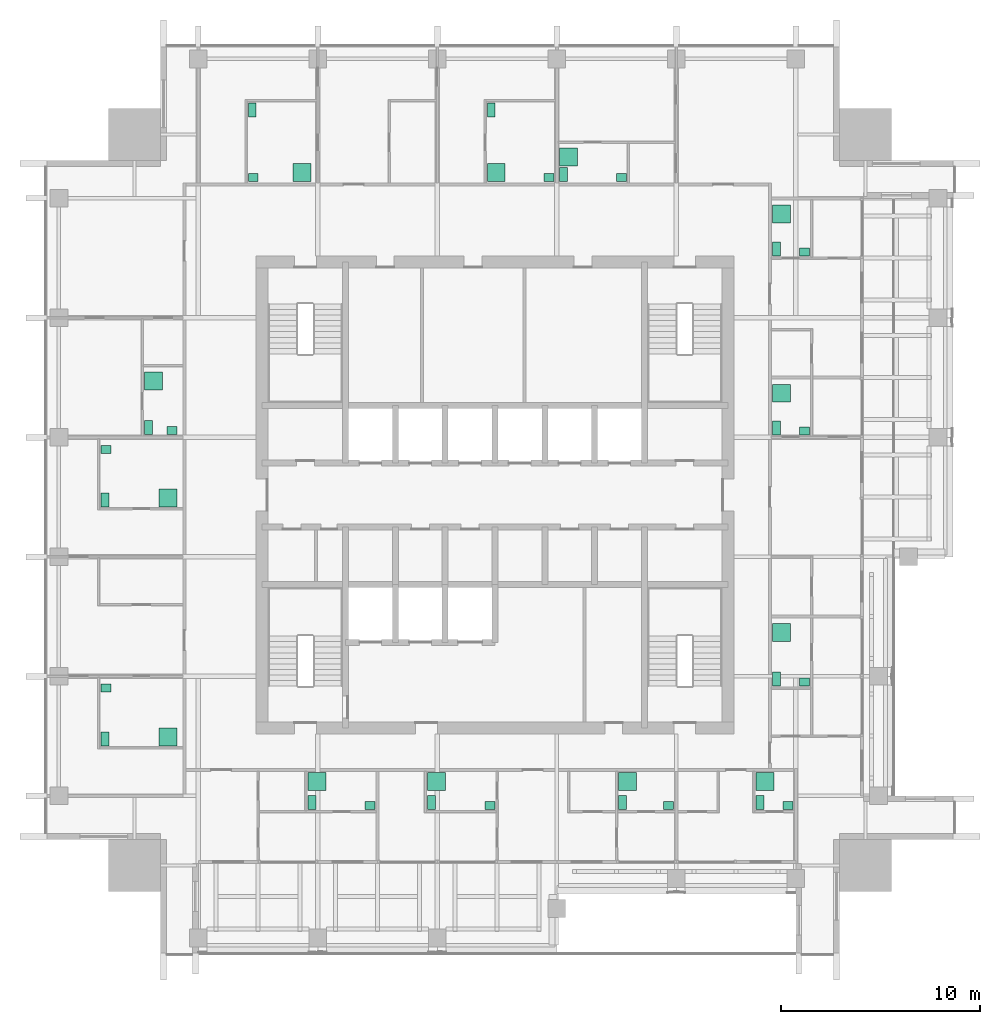
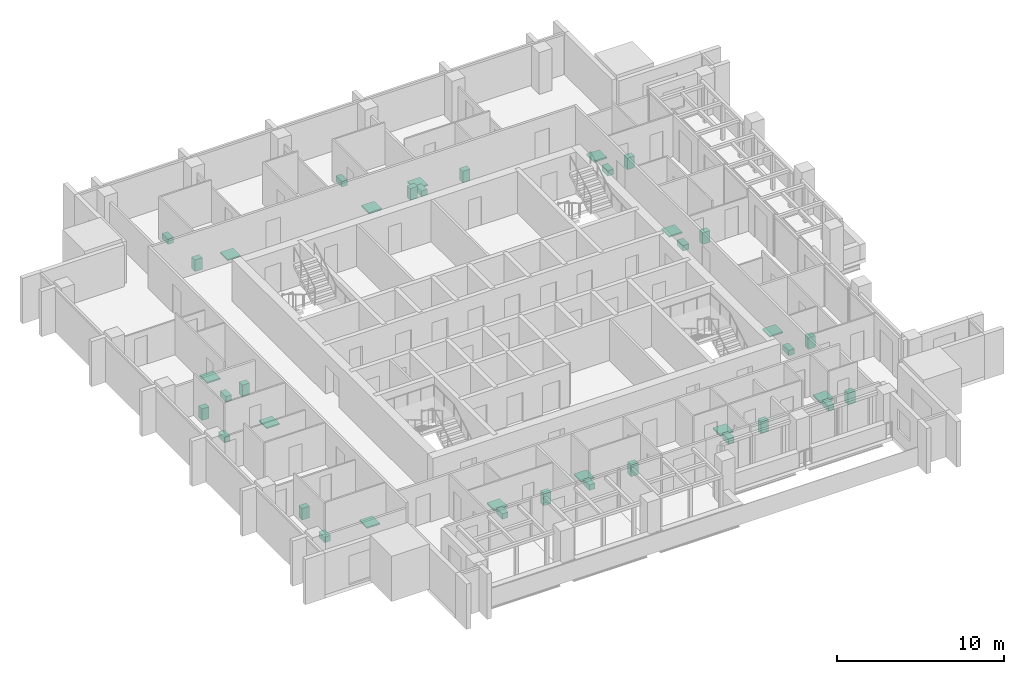
# One storey, part 17 of 17: 39 sanitary terminals.
"""IFC4 building model written with IfcOpenShell, lengths in metres."""

from ifc_helpers import new_model, si_unit, direction, frame, origin, origin_2d, place, context, subcontext, project, spatial, rectangle, extrude, element, save


model = new_model("IFC4")

# Units and contexts
model_context = context("Model", 3, precision=1e-05, world=origin(), true_north=direction((0.0, 1.0)))
body_context = subcontext(model_context, "Body", "Model", "MODEL_VIEW")
ifc_project = project(units=[si_unit("LENGTHUNIT", "METRE"), si_unit("AREAUNIT", "SQUARE_METRE"), si_unit("VOLUMEUNIT", "CUBIC_METRE"), si_unit("PLANEANGLEUNIT", "RADIAN"), si_unit("MASSUNIT", "GRAM", prefix="KILO")], contexts=[model_context])

# Site, building, storey
site_placement = place(None, origin())
site = spatial("IfcSite", under=ifc_project, at=site_placement, CompositionType="ELEMENT")
building_placement = place(site_placement, origin())
building = spatial("IfcBuilding", under=site, at=building_placement, Name="Amberfall Residences", CompositionType="ELEMENT")
storey_placement = place(building_placement, frame((0.0, 0.0, 216.699951171875)))
storey = spatial("IfcBuildingStorey", under=building, at=storey_placement, Name="L58", CompositionType="ELEMENT", Elevation=216.699951171875)

# Sanitary terminals
sanitary_terminal_1_placement = place(storey_placement, frame((65.31005859375, 30.06005859375, 0.0), z_axis=(0.0, 0.0, 1.0), x_axis=(1.0, 0.0, 0.0)))
element("IfcSanitaryTerminal", 1, at=sanitary_terminal_1_placement, inside=storey, Name="Water closet 5801", PredefinedType="TOILETPAN", context=body_context, shape_type="SweptSolid", body=[
    extrude(rectangle(XDim=0.39990234375, YDim=0.699951171875, at=origin_2d()), origin(), (0.0, 0.0, 1.0), 0.39990234375),
])
sanitary_terminal_2_placement = place(storey_placement, frame((68.215087890625, 29.909912109375, 0.0), z_axis=(0.0, 0.0, 1.0), x_axis=(1.0, 0.0, 0.0)))
element("IfcSanitaryTerminal", 2, at=sanitary_terminal_2_placement, inside=storey, Name="Basin 5801", PredefinedType="WASHHANDBASIN", context=body_context, shape_type="SweptSolid", body=[
    extrude(rectangle(XDim=0.5, YDim=0.39990234375, at=origin_2d()), origin(), (0.0, 0.0, 1.0), 0.85009765625),
])
sanitary_terminal_3_placement = place(storey_placement, frame((65.56005859375, 31.114990234375, 0.0), z_axis=(0.0, 0.0, 1.0), x_axis=(1.0, 0.0, 0.0)))
element("IfcSanitaryTerminal", 3, at=sanitary_terminal_3_placement, inside=storey, Name="Shower tray 5801", PredefinedType="SHOWER", context=body_context, shape_type="SweptSolid", body=[
    extrude(rectangle(XDim=0.89990234375, YDim=0.89990234375, at=origin_2d()), origin(), (0.0, 0.0, 1.0), 0.10009765625),
])
sanitary_terminal_4_placement = place(storey_placement, frame((71.31005859375, 30.06005859375, 0.0), z_axis=(0.0, 0.0, 1.0), x_axis=(1.0, 0.0, 0.0)))
element("IfcSanitaryTerminal", 4, at=sanitary_terminal_4_placement, inside=storey, Name="Water closet 5802", PredefinedType="TOILETPAN", context=body_context, shape_type="SweptSolid", body=[
    extrude(rectangle(XDim=0.39990234375, YDim=0.699951171875, at=origin_2d()), origin(), (0.0, 0.0, 1.0), 0.39990234375),
])
sanitary_terminal_5_placement = place(storey_placement, frame((74.239990234375, 29.909912109375, 0.0), z_axis=(0.0, 0.0, 1.0), x_axis=(1.0, 0.0, 0.0)))
element("IfcSanitaryTerminal", 5, at=sanitary_terminal_5_placement, inside=storey, Name="Basin 5802", PredefinedType="WASHHANDBASIN", context=body_context, shape_type="SweptSolid", body=[
    extrude(rectangle(XDim=0.5, YDim=0.39990234375, at=origin_2d()), origin(), (0.0, 0.0, 1.0), 0.85009765625),
])
sanitary_terminal_6_placement = place(storey_placement, frame((71.56005859375, 31.114990234375, 0.0), z_axis=(0.0, 0.0, 1.0), x_axis=(1.0, 0.0, 0.0)))
element("IfcSanitaryTerminal", 6, at=sanitary_terminal_6_placement, inside=storey, Name="Shower tray 5802", PredefinedType="SHOWER", context=body_context, shape_type="SweptSolid", body=[
    extrude(rectangle(XDim=0.89990234375, YDim=0.89990234375, at=origin_2d()), origin(), (0.0, 0.0, 1.0), 0.10009765625),
])
sanitary_terminal_7_placement = place(storey_placement, frame((80.909912109375, 30.06005859375, 0.0), z_axis=(0.0, 0.0, 1.0), x_axis=(1.0, 0.0, 0.0)))
element("IfcSanitaryTerminal", 7, at=sanitary_terminal_7_placement, inside=storey, Name="Water closet 5802", PredefinedType="TOILETPAN", context=body_context, shape_type="SweptSolid", body=[
    extrude(rectangle(XDim=0.39990234375, YDim=0.699951171875, at=origin_2d()), origin(), (0.0, 0.0, 1.0), 0.39990234375),
])
sanitary_terminal_8_placement = place(storey_placement, frame((83.215087890625, 29.909912109375, 0.0), z_axis=(0.0, 0.0, 1.0), x_axis=(1.0, 0.0, 0.0)))
element("IfcSanitaryTerminal", 8, at=sanitary_terminal_8_placement, inside=storey, Name="Basin 5802", PredefinedType="WASHHANDBASIN", context=body_context, shape_type="SweptSolid", body=[
    extrude(rectangle(XDim=0.5, YDim=0.39990234375, at=origin_2d()), origin(), (0.0, 0.0, 1.0), 0.85009765625),
])
sanitary_terminal_9_placement = place(storey_placement, frame((81.159912109375, 31.114990234375, 0.0), z_axis=(0.0, 0.0, 1.0), x_axis=(1.0, 0.0, 0.0)))
element("IfcSanitaryTerminal", 9, at=sanitary_terminal_9_placement, inside=storey, Name="Shower tray 5802", PredefinedType="SHOWER", context=body_context, shape_type="SweptSolid", body=[
    extrude(rectangle(XDim=0.89990234375, YDim=0.89990234375, at=origin_2d()), origin(), (0.0, 0.0, 1.0), 0.10009765625),
])
sanitary_terminal_10_placement = place(storey_placement, frame((87.81005859375, 30.06005859375, 0.0), z_axis=(0.0, 0.0, 1.0), x_axis=(1.0, 0.0, 0.0)))
element("IfcSanitaryTerminal", 10, at=sanitary_terminal_10_placement, inside=storey, Name="Water closet 5803", PredefinedType="TOILETPAN", context=body_context, shape_type="SweptSolid", body=[
    extrude(rectangle(XDim=0.39990234375, YDim=0.699951171875, at=origin_2d()), origin(), (0.0, 0.0, 1.0), 0.39990234375),
])
sanitary_terminal_11_placement = place(storey_placement, frame((89.215087890625, 29.909912109375, 0.0), z_axis=(0.0, 0.0, 1.0), x_axis=(1.0, 0.0, 0.0)))
element("IfcSanitaryTerminal", 11, at=sanitary_terminal_11_placement, inside=storey, Name="Basin 5803", PredefinedType="WASHHANDBASIN", context=body_context, shape_type="SweptSolid", body=[
    extrude(rectangle(XDim=0.5, YDim=0.39990234375, at=origin_2d()), origin(), (0.0, 0.0, 1.0), 0.85009765625),
])
sanitary_terminal_12_placement = place(storey_placement, frame((88.06005859375, 31.114990234375, 0.0), z_axis=(0.0, 0.0, 1.0), x_axis=(1.0, 0.0, 0.0)))
element("IfcSanitaryTerminal", 12, at=sanitary_terminal_12_placement, inside=storey, Name="Shower tray 5803", PredefinedType="SHOWER", context=body_context, shape_type="SweptSolid", body=[
    extrude(rectangle(XDim=0.89990234375, YDim=0.89990234375, at=origin_2d()), origin(), (0.0, 0.0, 1.0), 0.10009765625),
])
sanitary_terminal_13_placement = place(storey_placement, frame((88.635009765625, 36.260009765625, 0.0), z_axis=(0.0, 0.0, 1.0), x_axis=(1.0, 0.0, 0.0)))
element("IfcSanitaryTerminal", 13, at=sanitary_terminal_13_placement, inside=storey, Name="Water closet 5804", PredefinedType="TOILETPAN", context=body_context, shape_type="SweptSolid", body=[
    extrude(rectangle(XDim=0.39990234375, YDim=0.699951171875, at=origin_2d()), origin(), (0.0, 0.0, 1.0), 0.39990234375),
])
sanitary_terminal_14_placement = place(storey_placement, frame((90.0400390625, 36.110107421875, 0.0), z_axis=(0.0, 0.0, 1.0), x_axis=(1.0, 0.0, 0.0)))
element("IfcSanitaryTerminal", 14, at=sanitary_terminal_14_placement, inside=storey, Name="Basin 5804", PredefinedType="WASHHANDBASIN", context=body_context, shape_type="SweptSolid", body=[
    extrude(rectangle(XDim=0.5, YDim=0.39990234375, at=origin_2d()), origin(), (0.0, 0.0, 1.0), 0.85009765625),
])
sanitary_terminal_15_placement = place(storey_placement, frame((88.885009765625, 38.591796875, 0.0), z_axis=(0.0, 0.0, 1.0), x_axis=(1.0, 0.0, 0.0)))
element("IfcSanitaryTerminal", 15, at=sanitary_terminal_15_placement, inside=storey, Name="Shower tray 5804", PredefinedType="SHOWER", context=body_context, shape_type="SweptSolid", body=[
    extrude(rectangle(XDim=0.89990234375, YDim=0.89990234375, at=origin_2d()), origin(), (0.0, 0.0, 1.0), 0.10009765625),
])
sanitary_terminal_16_placement = place(storey_placement, frame((88.635009765625, 48.860107421875, 0.0), z_axis=(0.0, 0.0, 1.0), x_axis=(1.0, 0.0, 0.0)))
element("IfcSanitaryTerminal", 16, at=sanitary_terminal_16_placement, inside=storey, Name="Water closet 5805", PredefinedType="TOILETPAN", context=body_context, shape_type="SweptSolid", body=[
    extrude(rectangle(XDim=0.39990234375, YDim=0.699951171875, at=origin_2d()), origin(), (0.0, 0.0, 1.0), 0.39990234375),
])
sanitary_terminal_17_placement = place(storey_placement, frame((90.0400390625, 48.7099609375, 0.0), z_axis=(0.0, 0.0, 1.0), x_axis=(1.0, 0.0, 0.0)))
element("IfcSanitaryTerminal", 17, at=sanitary_terminal_17_placement, inside=storey, Name="Basin 5805", PredefinedType="WASHHANDBASIN", context=body_context, shape_type="SweptSolid", body=[
    extrude(rectangle(XDim=0.5, YDim=0.39990234375, at=origin_2d()), origin(), (0.0, 0.0, 1.0), 0.85009765625),
])
sanitary_terminal_18_placement = place(storey_placement, frame((88.885009765625, 50.60888671875, 0.0), z_axis=(0.0, 0.0, 1.0), x_axis=(1.0, 0.0, 0.0)))
element("IfcSanitaryTerminal", 18, at=sanitary_terminal_18_placement, inside=storey, Name="Shower tray 5805", PredefinedType="SHOWER", context=body_context, shape_type="SweptSolid", body=[
    extrude(rectangle(XDim=0.89990234375, YDim=0.89990234375, at=origin_2d()), origin(), (0.0, 0.0, 1.0), 0.10009765625),
])
sanitary_terminal_19_placement = place(storey_placement, frame((88.635009765625, 57.860107421875, 0.0), z_axis=(0.0, 0.0, 1.0), x_axis=(1.0, 0.0, 0.0)))
element("IfcSanitaryTerminal", 19, at=sanitary_terminal_19_placement, inside=storey, Name="Water closet 5806", PredefinedType="TOILETPAN", context=body_context, shape_type="SweptSolid", body=[
    extrude(rectangle(XDim=0.39990234375, YDim=0.699951171875, at=origin_2d()), origin(), (0.0, 0.0, 1.0), 0.39990234375),
])
sanitary_terminal_20_placement = place(storey_placement, frame((90.0400390625, 57.7099609375, 0.0), z_axis=(0.0, 0.0, 1.0), x_axis=(1.0, 0.0, 0.0)))
element("IfcSanitaryTerminal", 20, at=sanitary_terminal_20_placement, inside=storey, Name="Basin 5806", PredefinedType="WASHHANDBASIN", context=body_context, shape_type="SweptSolid", body=[
    extrude(rectangle(XDim=0.5, YDim=0.39990234375, at=origin_2d()), origin(), (0.0, 0.0, 1.0), 0.85009765625),
])
sanitary_terminal_21_placement = place(storey_placement, frame((88.885009765625, 59.60888671875, 0.0), z_axis=(0.0, 0.0, 1.0), x_axis=(1.0, 0.0, 0.0)))
element("IfcSanitaryTerminal", 21, at=sanitary_terminal_21_placement, inside=storey, Name="Shower tray 5806", PredefinedType="SHOWER", context=body_context, shape_type="SweptSolid", body=[
    extrude(rectangle(XDim=0.89990234375, YDim=0.89990234375, at=origin_2d()), origin(), (0.0, 0.0, 1.0), 0.10009765625),
])
sanitary_terminal_22_placement = place(storey_placement, frame((62.31005859375, 64.840087890625, 0.0), z_axis=(0.0, 0.0, 1.0), x_axis=(1.0, 0.0, 0.0)))
element("IfcSanitaryTerminal", 22, at=sanitary_terminal_22_placement, inside=storey, Name="Water closet 5807", PredefinedType="TOILETPAN", context=body_context, shape_type="SweptSolid", body=[
    extrude(rectangle(XDim=0.39990234375, YDim=0.699951171875, at=origin_2d()), origin(), (0.0, 0.0, 1.0), 0.39990234375),
])
sanitary_terminal_23_placement = place(storey_placement, frame((62.360107421875, 61.43505859375, 0.0), z_axis=(0.0, 0.0, 1.0), x_axis=(1.0, 0.0, 0.0)))
element("IfcSanitaryTerminal", 23, at=sanitary_terminal_23_placement, inside=storey, Name="Basin 5807", PredefinedType="WASHHANDBASIN", context=body_context, shape_type="SweptSolid", body=[
    extrude(rectangle(XDim=0.5, YDim=0.39990234375, at=origin_2d()), origin(), (0.0, 0.0, 1.0), 0.85009765625),
])
sanitary_terminal_24_placement = place(storey_placement, frame((64.814453125, 61.68505859375, 0.0), z_axis=(0.0, 0.0, 1.0), x_axis=(1.0, 0.0, 0.0)))
element("IfcSanitaryTerminal", 24, at=sanitary_terminal_24_placement, inside=storey, Name="Shower tray 5807", PredefinedType="SHOWER", context=body_context, shape_type="SweptSolid", body=[
    extrude(rectangle(XDim=0.89990234375, YDim=0.89990234375, at=origin_2d()), origin(), (0.0, 0.0, 1.0), 0.10009765625),
])
sanitary_terminal_25_placement = place(storey_placement, frame((74.31005859375, 64.840087890625, 0.0), z_axis=(0.0, 0.0, 1.0), x_axis=(1.0, 0.0, 0.0)))
element("IfcSanitaryTerminal", 25, at=sanitary_terminal_25_placement, inside=storey, Name="Water closet 5807", PredefinedType="TOILETPAN", context=body_context, shape_type="SweptSolid", body=[
    extrude(rectangle(XDim=0.39990234375, YDim=0.699951171875, at=origin_2d()), origin(), (0.0, 0.0, 1.0), 0.39990234375),
])
sanitary_terminal_26_placement = place(storey_placement, frame((77.215087890625, 61.43505859375, 0.0), z_axis=(0.0, 0.0, 1.0), x_axis=(1.0, 0.0, 0.0)))
element("IfcSanitaryTerminal", 26, at=sanitary_terminal_26_placement, inside=storey, Name="Basin 5807", PredefinedType="WASHHANDBASIN", context=body_context, shape_type="SweptSolid", body=[
    extrude(rectangle(XDim=0.5, YDim=0.39990234375, at=origin_2d()), origin(), (0.0, 0.0, 1.0), 0.85009765625),
])
sanitary_terminal_27_placement = place(storey_placement, frame((74.56005859375, 61.68505859375, 0.0), z_axis=(0.0, 0.0, 1.0), x_axis=(1.0, 0.0, 0.0)))
element("IfcSanitaryTerminal", 27, at=sanitary_terminal_27_placement, inside=storey, Name="Shower tray 5807", PredefinedType="SHOWER", context=body_context, shape_type="SweptSolid", body=[
    extrude(rectangle(XDim=0.89990234375, YDim=0.89990234375, at=origin_2d()), origin(), (0.0, 0.0, 1.0), 0.10009765625),
])
sanitary_terminal_28_placement = place(storey_placement, frame((77.93505859375, 61.5849609375, 0.0), z_axis=(0.0, 0.0, 1.0), x_axis=(1.0, 0.0, 0.0)))
element("IfcSanitaryTerminal", 28, at=sanitary_terminal_28_placement, inside=storey, Name="Water closet 5808", PredefinedType="TOILETPAN", context=body_context, shape_type="SweptSolid", body=[
    extrude(rectangle(XDim=0.39990234375, YDim=0.699951171875, at=origin_2d()), origin(), (0.0, 0.0, 1.0), 0.39990234375),
])
sanitary_terminal_29_placement = place(storey_placement, frame((80.840087890625, 61.43505859375, 0.0), z_axis=(0.0, 0.0, 1.0), x_axis=(1.0, 0.0, 0.0)))
element("IfcSanitaryTerminal", 29, at=sanitary_terminal_29_placement, inside=storey, Name="Basin 5808", PredefinedType="WASHHANDBASIN", context=body_context, shape_type="SweptSolid", body=[
    extrude(rectangle(XDim=0.5, YDim=0.39990234375, at=origin_2d()), origin(), (0.0, 0.0, 1.0), 0.85009765625),
])
sanitary_terminal_30_placement = place(storey_placement, frame((78.18505859375, 62.480712890625, 0.0), z_axis=(0.0, 0.0, 1.0), x_axis=(1.0, 0.0, 0.0)))
element("IfcSanitaryTerminal", 30, at=sanitary_terminal_30_placement, inside=storey, Name="Shower tray 5808", PredefinedType="SHOWER", context=body_context, shape_type="SweptSolid", body=[
    extrude(rectangle(XDim=0.89990234375, YDim=0.89990234375, at=origin_2d()), origin(), (0.0, 0.0, 1.0), 0.10009765625),
])
sanitary_terminal_31_placement = place(storey_placement, frame((54.909912109375, 33.260009765625, 0.0), z_axis=(0.0, 0.0, 1.0), x_axis=(1.0, 0.0, 0.0)))
element("IfcSanitaryTerminal", 31, at=sanitary_terminal_31_placement, inside=storey, Name="Water closet 5809", PredefinedType="TOILETPAN", context=body_context, shape_type="SweptSolid", body=[
    extrude(rectangle(XDim=0.39990234375, YDim=0.699951171875, at=origin_2d()), origin(), (0.0, 0.0, 1.0), 0.39990234375),
])
sanitary_terminal_32_placement = place(storey_placement, frame((54.9599609375, 35.819091796875, 0.0), z_axis=(0.0, 0.0, 1.0), x_axis=(1.0, 0.0, 0.0)))
element("IfcSanitaryTerminal", 32, at=sanitary_terminal_32_placement, inside=storey, Name="Basin 5809", PredefinedType="WASHHANDBASIN", context=body_context, shape_type="SweptSolid", body=[
    extrude(rectangle(XDim=0.5, YDim=0.39990234375, at=origin_2d()), origin(), (0.0, 0.0, 1.0), 0.85009765625),
])
sanitary_terminal_33_placement = place(storey_placement, frame((58.072265625, 33.360107421875, 0.0), z_axis=(0.0, 0.0, 1.0), x_axis=(1.0, 0.0, 0.0)))
element("IfcSanitaryTerminal", 33, at=sanitary_terminal_33_placement, inside=storey, Name="Shower tray 5809", PredefinedType="SHOWER", context=body_context, shape_type="SweptSolid", body=[
    extrude(rectangle(XDim=0.89990234375, YDim=0.89990234375, at=origin_2d()), origin(), (0.0, 0.0, 1.0), 0.10009765625),
])
sanitary_terminal_34_placement = place(storey_placement, frame((54.909912109375, 45.260009765625, 0.0), z_axis=(0.0, 0.0, 1.0), x_axis=(1.0, 0.0, 0.0)))
element("IfcSanitaryTerminal", 34, at=sanitary_terminal_34_placement, inside=storey, Name="Water closet 5809", PredefinedType="TOILETPAN", context=body_context, shape_type="SweptSolid", body=[
    extrude(rectangle(XDim=0.39990234375, YDim=0.699951171875, at=origin_2d()), origin(), (0.0, 0.0, 1.0), 0.39990234375),
])
sanitary_terminal_35_placement = place(storey_placement, frame((54.9599609375, 47.79638671875, 0.0), z_axis=(0.0, 0.0, 1.0), x_axis=(1.0, 0.0, 0.0)))
element("IfcSanitaryTerminal", 35, at=sanitary_terminal_35_placement, inside=storey, Name="Basin 5809", PredefinedType="WASHHANDBASIN", context=body_context, shape_type="SweptSolid", body=[
    extrude(rectangle(XDim=0.5, YDim=0.39990234375, at=origin_2d()), origin(), (0.0, 0.0, 1.0), 0.85009765625),
])
sanitary_terminal_36_placement = place(storey_placement, frame((58.072265625, 45.360107421875, 0.0), z_axis=(0.0, 0.0, 1.0), x_axis=(1.0, 0.0, 0.0)))
element("IfcSanitaryTerminal", 36, at=sanitary_terminal_36_placement, inside=storey, Name="Shower tray 5809", PredefinedType="SHOWER", context=body_context, shape_type="SweptSolid", body=[
    extrude(rectangle(XDim=0.89990234375, YDim=0.89990234375, at=origin_2d()), origin(), (0.0, 0.0, 1.0), 0.10009765625),
])
sanitary_terminal_37_placement = place(storey_placement, frame((57.110107421875, 48.885009765625, 0.0), z_axis=(0.0, 0.0, 1.0), x_axis=(1.0, 0.0, 0.0)))
element("IfcSanitaryTerminal", 37, at=sanitary_terminal_37_placement, inside=storey, Name="Water closet 5810", PredefinedType="TOILETPAN", context=body_context, shape_type="SweptSolid", body=[
    extrude(rectangle(XDim=0.39990234375, YDim=0.699951171875, at=origin_2d()), origin(), (0.0, 0.0, 1.0), 0.39990234375),
])
sanitary_terminal_38_placement = place(storey_placement, frame((58.2890625, 48.735107421875, 0.0), z_axis=(0.0, 0.0, 1.0), x_axis=(1.0, 0.0, 0.0)))
element("IfcSanitaryTerminal", 38, at=sanitary_terminal_38_placement, inside=storey, Name="Basin 5810", PredefinedType="WASHHANDBASIN", context=body_context, shape_type="SweptSolid", body=[
    extrude(rectangle(XDim=0.5, YDim=0.39990234375, at=origin_2d()), origin(), (0.0, 0.0, 1.0), 0.85009765625),
])
sanitary_terminal_39_placement = place(storey_placement, frame((57.360107421875, 51.216796875, 0.0), z_axis=(0.0, 0.0, 1.0), x_axis=(1.0, 0.0, 0.0)))
element("IfcSanitaryTerminal", 39, at=sanitary_terminal_39_placement, inside=storey, Name="Shower tray 5810", PredefinedType="SHOWER", context=body_context, shape_type="SweptSolid", body=[
    extrude(rectangle(XDim=0.89990234375, YDim=0.89990234375, at=origin_2d()), origin(), (0.0, 0.0, 1.0), 0.10009765625),
])

save(model, "model.ifc")
